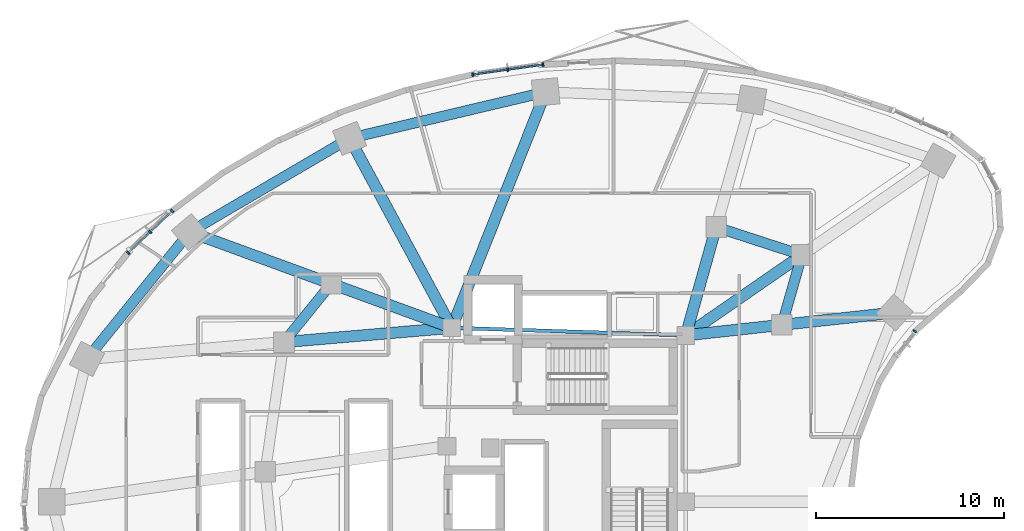
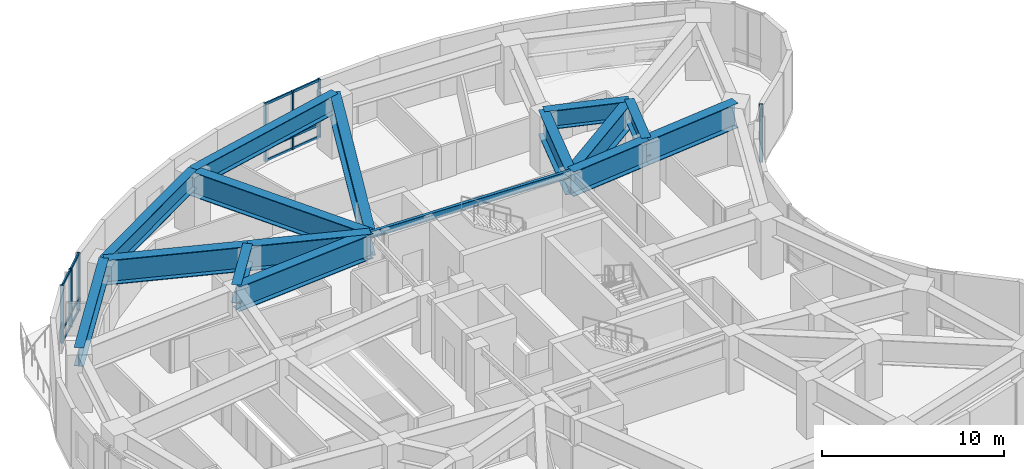
# One storey, part 4 of 13: 19 members, 16 beams, 3 elements without a shape of their own.
"""IFC4 building model written with IfcOpenShell, lengths in metres."""

from ifc_helpers import new_model, si_unit, direction, frame, origin, origin_2d, place, context, subcontext, project, spatial, rectangle, i_section, extrude, material, layer, layer_set, material_profile, profile_set, type_object, element, aggregate, save


model = new_model("IFC4")

# Units and contexts
model_context = context("Model", 3, precision=1e-05, world=origin(), true_north=direction((0.0, 1.0)))
body_context = subcontext(model_context, "Body", "Model", "MODEL_VIEW")
ifc_project = project(units=[si_unit("LENGTHUNIT", "METRE"), si_unit("AREAUNIT", "SQUARE_METRE"), si_unit("VOLUMEUNIT", "CUBIC_METRE"), si_unit("PLANEANGLEUNIT", "RADIAN"), si_unit("MASSUNIT", "GRAM", prefix="KILO")], contexts=[model_context])

# Site, building, storey
site_placement = place(None, origin())
site = spatial("IfcSite", under=ifc_project, at=site_placement, CompositionType="ELEMENT")
building_placement = place(site_placement, origin())
building = spatial("IfcBuilding", under=site, at=building_placement, Name="Korentha Bioscience Tower", CompositionType="ELEMENT")
storey_placement = place(building_placement, frame((0.0, 0.0, 80.39990234375)))
storey = spatial("IfcBuildingStorey", under=building, at=storey_placement, Name="L18", CompositionType="ELEMENT", Elevation=80.39990234375)

# Beams
ifc_material_1 = material(Name="Steel S355", Category="steel")
ifc_material_profile_1 = material_profile(ifc_material_1, i_section(OverallWidth=0.550048828125, OverallDepth=1.25, WebThickness=0.02392578125, FlangeThickness=0.0400390625, at=origin_2d()), Name="Steel S355")
ifc_profile_set_1 = profile_set([ifc_material_profile_1], Name="Steel S355 (TG-03)")
beam_type_1 = type_object("IfcBeamType", Name="Crown Step Transfer Girder CVS 1250x510", PredefinedType="USERDEFINED", material=ifc_profile_set_1)
beam_1_placement = place(storey_placement, frame((43.7265625, 40.121337890625, 3.255126953125), z_axis=(-0.950877001105, 0.309568940253, 0.0), x_axis=(-0.309568940253, -0.950877001105, 0.0)))
element("IfcBeam", 1, at=beam_1_placement, inside=storey, type_object=beam_type_1, Name="L18 Mid-Ring Tie Girder 01", ObjectType="TRANSFER_GIRDER", PredefinedType="USERDEFINED", context=body_context, shape_type="SweptSolid", body=[
    extrude(i_section(OverallWidth=0.550048828125, OverallDepth=1.25, WebThickness=0.02392578125, FlangeThickness=0.0400390625, at=origin_2d()), origin(), (0.0, 0.0, 1.0), 4.80126953125),
])
beam_2_placement = place(storey_placement, frame((18.692138671875, 38.5947265625, 3.255126953125), z_axis=(-0.629790009744, -0.776765436684, 0.0), x_axis=(0.776765436684, -0.629790009744, 0.0)))
element("IfcBeam", 2, at=beam_2_placement, inside=storey, type_object=beam_type_1, Name="L18 Mid-Ring Tie Girder 05", ObjectType="TRANSFER_GIRDER", PredefinedType="USERDEFINED", context=body_context, shape_type="SweptSolid", body=[
    extrude(i_section(OverallWidth=0.550048828125, OverallDepth=1.25, WebThickness=0.02392578125, FlangeThickness=0.0400390625, at=origin_2d()), origin(), (0.0, 0.0, 1.0), 3.998291015625),
])
beam_3_placement = place(storey_placement, frame((42.66162109375, 36.406982421875, 3.255126953125), z_axis=(0.27560557792, 0.961270807535, 0.0), x_axis=(-0.961270807535, 0.27560557792, 0.0)))
element("IfcBeam", 3, at=beam_3_placement, inside=storey, type_object=beam_type_1, Name="L18 Mid-Ring Tie Girder 16", ObjectType="TRANSFER_GIRDER", PredefinedType="USERDEFINED", context=body_context, shape_type="SweptSolid", body=[
    extrude(i_section(OverallWidth=0.550048828125, OverallDepth=1.25, WebThickness=0.02392578125, FlangeThickness=0.0400390625, at=origin_2d()), origin(), (0.0, 0.0, 1.0), 3.864013671875),
])
beam_4_placement = place(storey_placement, frame((30.09423828125, 48.79248046875, 3.255126953125), z_axis=(-0.973207885376, -0.229926970672, 0.0), x_axis=(0.229926970672, -0.973207885376, 0.0)))
element("IfcBeam", 4, at=beam_4_placement, inside=storey, type_object=beam_type_1, Name="L18 Perimeter Spandrel Girder 03", ObjectType="TRANSFER_GIRDER", PredefinedType="USERDEFINED", context=body_context, shape_type="SweptSolid", body=[
    extrude(i_section(OverallWidth=0.550048828125, OverallDepth=1.25, WebThickness=0.02392578125, FlangeThickness=0.0400390625, at=origin_2d()), origin(), (0.0, 0.0, 1.0), 10.71484375),
])
beam_5_placement = place(storey_placement, frame((19.66650390625, 46.328857421875, 3.255126953125), z_axis=(-0.862656574181, -0.505790109653, 0.0), x_axis=(0.505790109653, -0.862656574181, 0.0)))
element("IfcBeam", 5, at=beam_5_placement, inside=storey, type_object=beam_type_1, Name="L18 Perimeter Spandrel Girder 04", ObjectType="TRANSFER_GIRDER", PredefinedType="USERDEFINED", context=body_context, shape_type="SweptSolid", body=[
    extrude(i_section(OverallWidth=0.550048828125, OverallDepth=1.25, WebThickness=0.02392578125, FlangeThickness=0.0400390625, at=origin_2d()), origin(), (0.0, 0.0, 1.0), 9.849365234375),
])
beam_6_placement = place(storey_placement, frame((11.169921875, 41.34716796875, 3.255126953125), z_axis=(-0.629799210231, -0.776757976974, 0.0), x_axis=(0.776757976974, -0.629799210231, 0.0)))
element("IfcBeam", 6, at=beam_6_placement, inside=storey, type_object=beam_type_1, Name="L18 Perimeter Spandrel Girder 05", ObjectType="TRANSFER_GIRDER", PredefinedType="USERDEFINED", context=body_context, shape_type="SweptSolid", body=[
    extrude(i_section(OverallWidth=0.550048828125, OverallDepth=1.25, WebThickness=0.02392578125, FlangeThickness=0.0400390625, at=origin_2d()), origin(), (0.0, 0.0, 1.0), 8.69189453125),
])
ifc_material_profile_2 = material_profile(ifc_material_1, i_section(OverallWidth=0.60009765625, OverallDepth=1.64990234375, WebThickness=0.02587890625, FlangeThickness=0.0439453125, at=origin_2d()), Name="Steel S355")
ifc_profile_set_2 = profile_set([ifc_material_profile_2], Name="Steel S355 (TG-04)")
beam_type_2 = type_object("IfcBeamType", Name="Deep Setback Transfer Girder CVS 1650x620", PredefinedType="USERDEFINED", material=ifc_profile_set_2)
beam_7_placement = place(storey_placement, frame((37.550048828125, 35.85009765625, 3.05517578125), z_axis=(0.822491697625, 0.568777115694, 0.0), x_axis=(-0.568777115694, 0.822491697625, 0.0)))
element("IfcBeam", 7, at=beam_7_placement, inside=storey, type_object=beam_type_2, Name="L18 Inner Radial Transfer Girder 01", ObjectType="TRANSFER_GIRDER", PredefinedType="USERDEFINED", context=body_context, shape_type="SweptSolid", body=[
    extrude(i_section(OverallWidth=0.60009765625, OverallDepth=1.64990234375, WebThickness=0.02587890625, FlangeThickness=0.0439453125, at=origin_2d()), origin(), (0.0, 0.0, 1.0), 7.509521484375),
])
beam_8_placement = place(storey_placement, frame((37.550048828125, 35.85009765625, 3.05517578125), z_axis=(0.269469369205, 0.963008961049, 0.0), x_axis=(-0.963008961049, 0.269469369205, 0.0)))
element("IfcBeam", 8, at=beam_8_placement, inside=storey, type_object=beam_type_2, Name="L18 Inner Radial Transfer Girder 02", ObjectType="TRANSFER_GIRDER", PredefinedType="USERDEFINED", context=body_context, shape_type="SweptSolid", body=[
    extrude(i_section(OverallWidth=0.60009765625, OverallDepth=1.64990234375, WebThickness=0.02587890625, FlangeThickness=0.0439453125, at=origin_2d()), origin(), (0.0, 0.0, 1.0), 5.978759765625),
])
beam_9_placement = place(storey_placement, frame((25.10009765625, 36.25, 3.05517578125), z_axis=(0.369931007413, 0.929059228335, 0.0), x_axis=(-0.929059228335, 0.369931007413, 0.0)))
element("IfcBeam", 9, at=beam_9_placement, inside=storey, type_object=beam_type_2, Name="L18 Radial Transfer Girder 03", ObjectType="TRANSFER_GIRDER", PredefinedType="USERDEFINED", context=body_context, shape_type="SweptSolid", body=[
    extrude(i_section(OverallWidth=0.60009765625, OverallDepth=1.64990234375, WebThickness=0.02587890625, FlangeThickness=0.0439453125, at=origin_2d()), origin(), (0.0, 0.0, 1.0), 13.500244140625),
])
beam_10_placement = place(storey_placement, frame((25.10009765625, 36.25, 3.05517578125), z_axis=(-0.47454097106, 0.880233416081, 0.0), x_axis=(-0.880233416081, -0.47454097106, 0.0)))
element("IfcBeam", 10, at=beam_10_placement, inside=storey, type_object=beam_type_2, Name="L18 Radial Transfer Girder 04", ObjectType="TRANSFER_GIRDER", PredefinedType="USERDEFINED", context=body_context, shape_type="SweptSolid", body=[
    extrude(i_section(OverallWidth=0.60009765625, OverallDepth=1.64990234375, WebThickness=0.02587890625, FlangeThickness=0.0439453125, at=origin_2d()), origin(), (0.0, 0.0, 1.0), 11.4501953125),
])
beam_11_placement = place(storey_placement, frame((25.10009765625, 36.25, 3.05517578125), z_axis=(-0.939106237741, 0.343626940498, 0.0), x_axis=(-0.343626940498, -0.939106237741, 0.0)))
element("IfcBeam", 11, at=beam_11_placement, inside=storey, type_object=beam_type_2, Name="L18 Inner Radial Transfer Girder 05", ObjectType="TRANSFER_GIRDER", PredefinedType="USERDEFINED", context=body_context, shape_type="SweptSolid", body=[
    extrude(i_section(OverallWidth=0.60009765625, OverallDepth=1.64990234375, WebThickness=0.02587890625, FlangeThickness=0.0439453125, at=origin_2d()), origin(), (0.0, 0.0, 1.0), 6.823486328125),
])
beam_12_placement = place(storey_placement, frame((18.692138671875, 38.5947265625, 3.05517578125), z_axis=(-0.939106299948, 0.343626770491, 0.0), x_axis=(-0.343626770491, -0.939106299948, 0.0)))
element("IfcBeam", 12, at=beam_12_placement, inside=storey, type_object=beam_type_2, Name="L18 Outer Radial Transfer Girder 05", ObjectType="TRANSFER_GIRDER", PredefinedType="USERDEFINED", context=body_context, shape_type="SweptSolid", body=[
    extrude(i_section(OverallWidth=0.60009765625, OverallDepth=1.64990234375, WebThickness=0.02587890625, FlangeThickness=0.0439453125, at=origin_2d()), origin(), (0.0, 0.0, 1.0), 8.010009765625),
])
beam_13_placement = place(storey_placement, frame((25.10009765625, 36.25, 3.05517578125), z_axis=(-0.996385503026, -0.08494662654, 0.0), x_axis=(0.08494662654, -0.996385503026, 0.0)))
element("IfcBeam", 13, at=beam_13_placement, inside=storey, type_object=beam_type_2, Name="L18 Inner Radial Transfer Girder 06", ObjectType="TRANSFER_GIRDER", PredefinedType="USERDEFINED", context=body_context, shape_type="SweptSolid", body=[
    extrude(i_section(OverallWidth=0.60009765625, OverallDepth=1.64990234375, WebThickness=0.02587890625, FlangeThickness=0.0439453125, at=origin_2d()), origin(), (0.0, 0.0, 1.0), 8.95849609375),
])
beam_14_placement = place(storey_placement, frame((37.550048828125, 35.85009765625, 3.05517578125), z_axis=(0.994117709144, 0.10830503389, 0.0), x_axis=(-0.10830503389, 0.994117709144, 0.0)))
element("IfcBeam", 14, at=beam_14_placement, inside=storey, type_object=beam_type_2, Name="L18 Inner Radial Transfer Girder 16", ObjectType="TRANSFER_GIRDER", PredefinedType="USERDEFINED", context=body_context, shape_type="SweptSolid", body=[
    extrude(i_section(OverallWidth=0.60009765625, OverallDepth=1.64990234375, WebThickness=0.02587890625, FlangeThickness=0.0439453125, at=origin_2d()), origin(), (0.0, 0.0, 1.0), 5.141845703125),
])
beam_15_placement = place(storey_placement, frame((42.66162109375, 36.406982421875, 3.05517578125), z_axis=(0.994115805925, 0.108322501862, 0.0), x_axis=(-0.108322501862, 0.994115805925, 0.0)))
element("IfcBeam", 15, at=beam_15_placement, inside=storey, type_object=beam_type_2, Name="L18 Outer Radial Transfer Girder 16", ObjectType="TRANSFER_GIRDER", PredefinedType="USERDEFINED", context=body_context, shape_type="SweptSolid", body=[
    extrude(i_section(OverallWidth=0.60009765625, OverallDepth=1.64990234375, WebThickness=0.02587890625, FlangeThickness=0.0439453125, at=origin_2d()), origin(), (0.0, 0.0, 1.0), 6.03564453125),
])
ifc_material_profile_3 = material_profile(ifc_material_1, i_section(OverallWidth=0.18994140625, OverallDepth=0.45703125, WebThickness=0.009033203125, FlangeThickness=0.014404296875, at=origin_2d()), Name="Steel S355")
ifc_profile_set_3 = profile_set([ifc_material_profile_3], Name="Steel S355 (MB-460)")
beam_type_3 = type_object("IfcBeamType", Name="Mid-Ring Tie Girder W460x74", PredefinedType="BEAM", material=ifc_profile_set_3)
beam_16_placement = place(storey_placement, frame((37.550048828125, 35.85009765625, 3.651611328125), z_axis=(-0.999484526071, 0.032104238723, 0.0), x_axis=(-0.032104238723, -0.999484526071, 0.0)))
element("IfcBeam", 16, at=beam_16_placement, inside=storey, type_object=beam_type_3, Name="L18 Core Ring Tie Girder 01", PredefinedType="BEAM", context=body_context, shape_type="SweptSolid", body=[
    extrude(i_section(OverallWidth=0.18994140625, OverallDepth=0.45703125, WebThickness=0.009033203125, FlangeThickness=0.014404296875, at=origin_2d()), origin(), (0.0, 0.0, 1.0), 12.456298828125),
])

# Curtain wall, members
ifc_material_2 = material(Name="Thermally Broken Aluminium Frame", Category="aluminium")
ifc_layer = layer(ifc_material_2, 0.219970703125, Name="Thermally Broken Aluminium Frame")
ifc_layer_set = layer_set([ifc_layer], Name="Thermally Broken Aluminium Frame (CW-T2)")
curtain_wall_type = type_object("IfcCurtainWallType", Name="Solar-Screened Lab Unitised Curtain Wall CW-T2", PredefinedType="USERDEFINED", material=ifc_layer_set)
curtain_wall_1_placement = place(storey_placement, origin())
curtain_wall_1 = element("IfcCurtainWall", 17, at=curtain_wall_1_placement, inside=storey, type_object=curtain_wall_type, Name="L18 Curtain Wall 07", ObjectType="UNITISED", PredefinedType="USERDEFINED")
ifc_material_3 = material(Name="Anodised Aluminium 6063-T6", Category="aluminium")
ifc_material_profile_4 = material_profile(ifc_material_3, rectangle(XDim=0.090087890625, YDim=0.199951171875, at=origin_2d()), Name="Anodised Aluminium 6063-T6")
ifc_profile_set_4 = profile_set([ifc_material_profile_4], Name="Anodised Aluminium 6063-T6 (CW-MUL)")
member_type_1 = type_object("IfcMemberType", Name="Mullion RECT 90x200", PredefinedType="MULLION", material=ifc_profile_set_4)
member_1_placement = place(storey_placement, frame((29.95849609375, 50.247802734375, 0.0), z_axis=(0.0, 0.0, 1.0), x_axis=(-0.990167372968, -0.139887717511, 0.0)))
member_1 = element("IfcMember", 18, at=member_1_placement, type_object=member_type_1, Name="CW-L18-07 Mullion 1", PredefinedType="MULLION", context=body_context, shape_type="SweptSolid", body=[
    extrude(rectangle(XDim=0.090087890625, YDim=0.199951171875, at=origin_2d()), origin(), (0.0, 0.0, 1.0), 3.880126953125),
])
member_2_placement = place(storey_placement, frame((28.086669921875, 49.9833984375, 0.0), z_axis=(0.0, 0.0, 1.0), x_axis=(-0.990167372968, -0.139887717511, 0.0)))
member_2 = element("IfcMember", 19, at=member_2_placement, type_object=member_type_1, Name="CW-L18-07 Mullion 2", PredefinedType="MULLION", context=body_context, shape_type="SweptSolid", body=[
    extrude(rectangle(XDim=0.090087890625, YDim=0.199951171875, at=origin_2d()), origin(), (0.0, 0.0, 1.0), 3.880126953125),
])
member_3_placement = place(storey_placement, frame((26.214599609375, 49.718994140625, 0.0), z_axis=(0.0, 0.0, 1.0), x_axis=(-0.990167372968, -0.139887717511, 0.0)))
member_3 = element("IfcMember", 20, at=member_3_placement, type_object=member_type_1, Name="CW-L18-07 Mullion 3", PredefinedType="MULLION", context=body_context, shape_type="SweptSolid", body=[
    extrude(rectangle(XDim=0.090087890625, YDim=0.199951171875, at=origin_2d()), origin(), (0.0, 0.0, 1.0), 3.880126953125),
])

curtain_wall_2_placement = place(storey_placement, origin())
curtain_wall_2 = element("IfcCurtainWall", 21, at=curtain_wall_2_placement, inside=storey, type_object=curtain_wall_type, Name="L18 Curtain Wall 13", ObjectType="UNITISED", PredefinedType="USERDEFINED")
member_4_placement = place(storey_placement, frame((10.228759765625, 42.467041015625, 0.0), z_axis=(0.0, 0.0, 1.0), x_axis=(-0.723641761581, -0.690175775361, 0.0)))
member_4 = element("IfcMember", 22, at=member_4_placement, type_object=member_type_1, Name="CW-L18-13 Mullion 1", PredefinedType="MULLION", context=body_context, shape_type="SweptSolid", body=[
    extrude(rectangle(XDim=0.090087890625, YDim=0.199951171875, at=origin_2d()), origin(), (0.0, 0.0, 1.0), 3.880126953125),
])
member_5_placement = place(storey_placement, frame((9.05908203125, 41.3515625, 0.0), z_axis=(0.0, 0.0, 1.0), x_axis=(-0.723641761581, -0.690175775361, 0.0)))
member_5 = element("IfcMember", 23, at=member_5_placement, type_object=member_type_1, Name="CW-L18-13 Mullion 2", PredefinedType="MULLION", context=body_context, shape_type="SweptSolid", body=[
    extrude(rectangle(XDim=0.090087890625, YDim=0.199951171875, at=origin_2d()), origin(), (0.0, 0.0, 1.0), 3.880126953125),
])
member_6_placement = place(storey_placement, frame((7.889404296875, 40.236083984375, 0.0), z_axis=(0.0, 0.0, 1.0), x_axis=(-0.723641761581, -0.690175775361, 0.0)))
member_6 = element("IfcMember", 24, at=member_6_placement, type_object=member_type_1, Name="CW-L18-13 Mullion 3", PredefinedType="MULLION", context=body_context, shape_type="SweptSolid", body=[
    extrude(rectangle(XDim=0.090087890625, YDim=0.199951171875, at=origin_2d()), origin(), (0.0, 0.0, 1.0), 3.880126953125),
])

# Curtain wall, member
curtain_wall_3_placement = place(storey_placement, origin())
curtain_wall_3 = element("IfcCurtainWall", 25, at=curtain_wall_3_placement, inside=storey, type_object=curtain_wall_type, Name="L18 Curtain Wall 55", ObjectType="UNITISED", PredefinedType="USERDEFINED")
member_7_placement = place(storey_placement, frame((49.73291015625, 36.072021484375, 0.0), z_axis=(0.0, 0.0, 1.0), x_axis=(0.622520324648, 0.782603632371, 0.0)))
member_7 = element("IfcMember", 26, at=member_7_placement, type_object=member_type_1, Name="CW-L18-55 Mullion 2", PredefinedType="MULLION", context=body_context, shape_type="SweptSolid", body=[
    extrude(rectangle(XDim=0.090087890625, YDim=0.199951171875, at=origin_2d()), origin(), (0.0, 0.0, 1.0), 3.880126953125),
])
aggregate(curtain_wall_3, [member_7])

# Member
ifc_material_profile_5 = material_profile(ifc_material_3, rectangle(XDim=0.090087890625, YDim=0.159912109375, at=origin_2d()), Name="Anodised Aluminium 6063-T6")
ifc_profile_set_5 = profile_set([ifc_material_profile_5], Name="Anodised Aluminium 6063-T6 (CW-TRN)")
member_type_2 = type_object("IfcMemberType", Name="Transom RECT 90x160", PredefinedType="USERDEFINED", material=ifc_profile_set_5)
member_8_placement = place(storey_placement, frame((29.913818359375, 50.24169921875, 0.045166015625), z_axis=(-0.990159924061, -0.139940432982, 0.0), x_axis=(0.139940432982, -0.990159924061, 0.0)))
member_8 = element("IfcMember", 27, at=member_8_placement, type_object=member_type_2, Name="CW-L18-07 Bay 1 Transom 1", ObjectType="TRANSOM", PredefinedType="USERDEFINED", context=body_context, shape_type="SweptSolid", body=[
    extrude(rectangle(XDim=0.090087890625, YDim=0.159912109375, at=origin_2d()), origin(), (0.0, 0.0, 1.0), 1.800537109375),
])

member_9_placement = place(storey_placement, frame((29.913818359375, 50.24169921875, 0.85009765625), z_axis=(-0.990159924061, -0.139940432982, 0.0), x_axis=(0.139940432982, -0.990159924061, 0.0)))
member_9 = element("IfcMember", 28, at=member_9_placement, type_object=member_type_2, Name="CW-L18-07 Bay 1 Transom 2", ObjectType="TRANSOM", PredefinedType="USERDEFINED", context=body_context, shape_type="SweptSolid", body=[
    extrude(rectangle(XDim=0.090087890625, YDim=0.159912109375, at=origin_2d()), origin(), (0.0, 0.0, 1.0), 1.800537109375),
])

member_10_placement = place(storey_placement, frame((29.913818359375, 50.24169921875, 3.835205078125), z_axis=(-0.990159924061, -0.139940432982, 0.0), x_axis=(0.139940432982, -0.990159924061, 0.0)))
member_10 = element("IfcMember", 29, at=member_10_placement, type_object=member_type_2, Name="CW-L18-07 Bay 1 Transom 3", ObjectType="TRANSOM", PredefinedType="USERDEFINED", context=body_context, shape_type="SweptSolid", body=[
    extrude(rectangle(XDim=0.090087890625, YDim=0.159912109375, at=origin_2d()), origin(), (0.0, 0.0, 1.0), 1.800537109375),
])

member_11_placement = place(storey_placement, frame((28.0419921875, 49.977294921875, 0.045166015625), z_axis=(-0.990159924061, -0.139940432982, 0.0), x_axis=(0.139940432982, -0.990159924061, 0.0)))
member_11 = element("IfcMember", 30, at=member_11_placement, type_object=member_type_2, Name="CW-L18-07 Bay 2 Transom 1", ObjectType="TRANSOM", PredefinedType="USERDEFINED", context=body_context, shape_type="SweptSolid", body=[
    extrude(rectangle(XDim=0.090087890625, YDim=0.159912109375, at=origin_2d()), origin(), (0.0, 0.0, 1.0), 1.800537109375),
])

member_12_placement = place(storey_placement, frame((28.0419921875, 49.977294921875, 0.85009765625), z_axis=(-0.990159924061, -0.139940432982, 0.0), x_axis=(0.139940432982, -0.990159924061, 0.0)))
member_12 = element("IfcMember", 31, at=member_12_placement, type_object=member_type_2, Name="CW-L18-07 Bay 2 Transom 2", ObjectType="TRANSOM", PredefinedType="USERDEFINED", context=body_context, shape_type="SweptSolid", body=[
    extrude(rectangle(XDim=0.090087890625, YDim=0.159912109375, at=origin_2d()), origin(), (0.0, 0.0, 1.0), 1.800537109375),
])

member_13_placement = place(storey_placement, frame((28.0419921875, 49.977294921875, 3.835205078125), z_axis=(-0.990159924061, -0.139940432982, 0.0), x_axis=(0.139940432982, -0.990159924061, 0.0)))
member_13 = element("IfcMember", 32, at=member_13_placement, type_object=member_type_2, Name="CW-L18-07 Bay 2 Transom 3", ObjectType="TRANSOM", PredefinedType="USERDEFINED", context=body_context, shape_type="SweptSolid", body=[
    extrude(rectangle(XDim=0.090087890625, YDim=0.159912109375, at=origin_2d()), origin(), (0.0, 0.0, 1.0), 1.800537109375),
])

aggregate(curtain_wall_1, [member_1, member_2, member_3, member_8, member_9, member_10, member_11, member_12, member_13])

member_14_placement = place(storey_placement, frame((10.1962890625, 42.43603515625, 0.045166015625), z_axis=(-0.72370039216, -0.690114296612, 0.0), x_axis=(0.690114296612, -0.72370039216, 0.0)))
member_14 = element("IfcMember", 33, at=member_14_placement, type_object=member_type_2, Name="CW-L18-13 Bay 1 Transom 1", ObjectType="TRANSOM", PredefinedType="USERDEFINED", context=body_context, shape_type="SweptSolid", body=[
    extrude(rectangle(XDim=0.090087890625, YDim=0.159912109375, at=origin_2d()), origin(), (0.0, 0.0, 1.0), 1.526611328125),
])

member_15_placement = place(storey_placement, frame((10.1962890625, 42.43603515625, 0.85009765625), z_axis=(-0.72370039216, -0.690114296612, 0.0), x_axis=(0.690114296612, -0.72370039216, 0.0)))
member_15 = element("IfcMember", 34, at=member_15_placement, type_object=member_type_2, Name="CW-L18-13 Bay 1 Transom 2", ObjectType="TRANSOM", PredefinedType="USERDEFINED", context=body_context, shape_type="SweptSolid", body=[
    extrude(rectangle(XDim=0.090087890625, YDim=0.159912109375, at=origin_2d()), origin(), (0.0, 0.0, 1.0), 1.526611328125),
])

member_16_placement = place(storey_placement, frame((10.1962890625, 42.43603515625, 3.835205078125), z_axis=(-0.72370039216, -0.690114296612, 0.0), x_axis=(0.690114296612, -0.72370039216, 0.0)))
member_16 = element("IfcMember", 35, at=member_16_placement, type_object=member_type_2, Name="CW-L18-13 Bay 1 Transom 3", ObjectType="TRANSOM", PredefinedType="USERDEFINED", context=body_context, shape_type="SweptSolid", body=[
    extrude(rectangle(XDim=0.090087890625, YDim=0.159912109375, at=origin_2d()), origin(), (0.0, 0.0, 1.0), 1.526611328125),
])

member_17_placement = place(storey_placement, frame((9.026611328125, 41.320556640625, 0.045166015625), z_axis=(-0.72370039216, -0.690114296612, 0.0), x_axis=(0.690114296612, -0.72370039216, 0.0)))
member_17 = element("IfcMember", 36, at=member_17_placement, type_object=member_type_2, Name="CW-L18-13 Bay 2 Transom 1", ObjectType="TRANSOM", PredefinedType="USERDEFINED", context=body_context, shape_type="SweptSolid", body=[
    extrude(rectangle(XDim=0.090087890625, YDim=0.159912109375, at=origin_2d()), origin(), (0.0, 0.0, 1.0), 1.526611328125),
])

member_18_placement = place(storey_placement, frame((9.026611328125, 41.320556640625, 0.85009765625), z_axis=(-0.72370039216, -0.690114296612, 0.0), x_axis=(0.690114296612, -0.72370039216, 0.0)))
member_18 = element("IfcMember", 37, at=member_18_placement, type_object=member_type_2, Name="CW-L18-13 Bay 2 Transom 2", ObjectType="TRANSOM", PredefinedType="USERDEFINED", context=body_context, shape_type="SweptSolid", body=[
    extrude(rectangle(XDim=0.090087890625, YDim=0.159912109375, at=origin_2d()), origin(), (0.0, 0.0, 1.0), 1.526611328125),
])

member_19_placement = place(storey_placement, frame((9.026611328125, 41.320556640625, 3.835205078125), z_axis=(-0.72370039216, -0.690114296612, 0.0), x_axis=(0.690114296612, -0.72370039216, 0.0)))
member_19 = element("IfcMember", 38, at=member_19_placement, type_object=member_type_2, Name="CW-L18-13 Bay 2 Transom 3", ObjectType="TRANSOM", PredefinedType="USERDEFINED", context=body_context, shape_type="SweptSolid", body=[
    extrude(rectangle(XDim=0.090087890625, YDim=0.159912109375, at=origin_2d()), origin(), (0.0, 0.0, 1.0), 1.526611328125),
])

aggregate(curtain_wall_2, [member_4, member_5, member_6, member_14, member_15, member_16, member_17, member_18, member_19])

save(model, "model.ifc")
